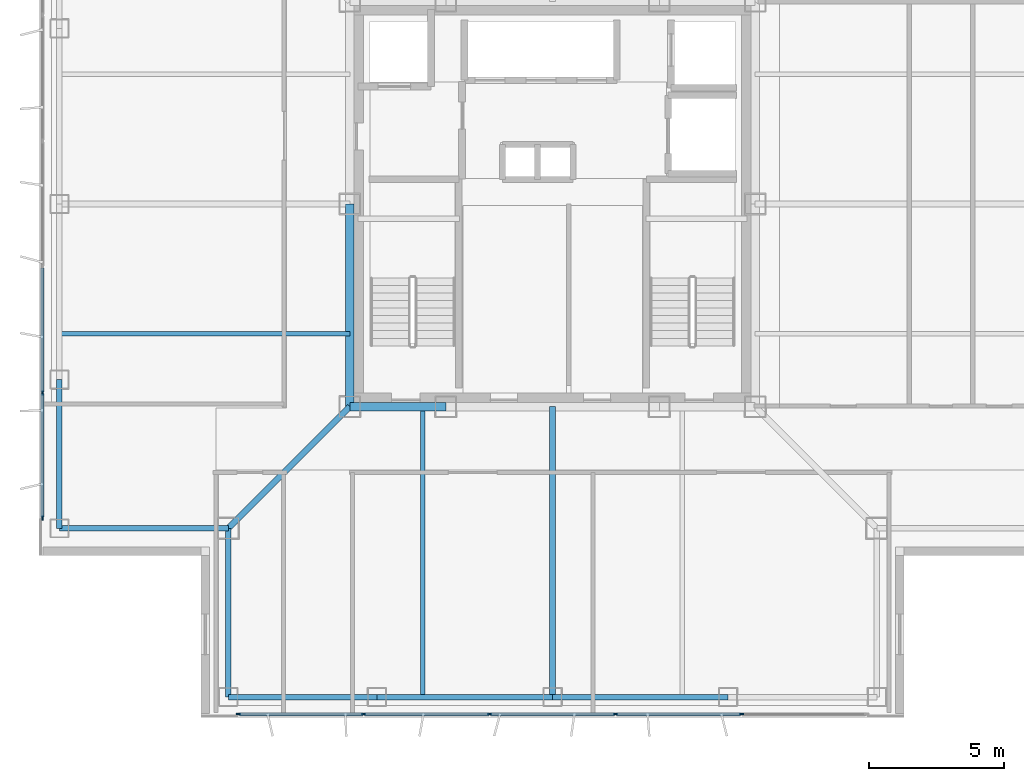
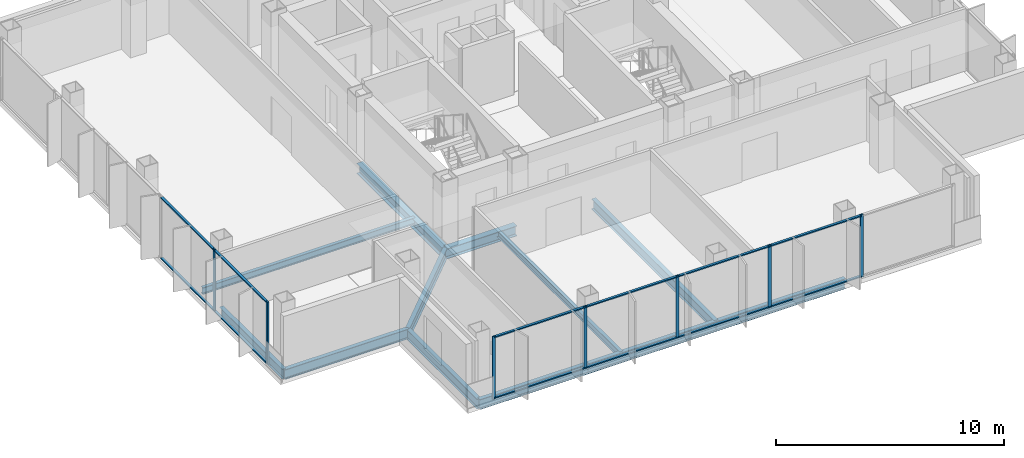
# One storey, part 2 of 15: 19 members, 12 beams, 2 elements without a shape of their own.
"""IFC4 building model written with IfcOpenShell, lengths in metres."""

import ifcopenshell
import ifcopenshell.guid

model = None  # the IFC model being written
_history = None  # IfcOwnerHistory: only IFC2X3 demands one
_inside = {}  # id of a spatial element -> (the spatial element, [elements in it])
_under = {}  # id of a project, library or spatial element -> (it, [spatial elements below it])
_declared = {}  # id of a project -> (the project, [libraries it declares])
_typed = {}  # id of a type object -> (the type object, [elements of that type])
_made_of = {}  # id of a material, layer set ... -> (it, [elements and type objects made of it])


def new_model(schema):
    """Start an empty IFC model of exactly this schema.

    Asked for "IFC4X3", IfcOpenShell would pick the latest addendum, in which some entities
    have other attributes; the version numbers below select the first issue.
    IFC2X3 requires an IfcOwnerHistory on every rooted entity: one is made here for all.
    """
    global model, _history
    if schema == "IFC4X3":
        model = ifcopenshell.file(schema_version=(4, 3, 0, 0))
    else:
        model = ifcopenshell.file(schema=schema)
    _inside.clear()
    _under.clear()
    _declared.clear()
    _typed.clear()
    _made_of.clear()
    _history = None
    if model.schema == "IFC2X3":
        org = make("IfcOrganization", Name="unknown")
        user = make(
            "IfcPersonAndOrganization",
            ThePerson=make("IfcPerson", FamilyName="unknown"),
            TheOrganization=org,
        )
        app = make(
            "IfcApplication",
            ApplicationDeveloper=org,
            Version="unknown",
            ApplicationFullName="unknown",
            ApplicationIdentifier="unknown",
        )
        _history = make(
            "IfcOwnerHistory",
            OwningUser=user,
            OwningApplication=app,
            ChangeAction="ADDED",
            CreationDate=0,
        )
    return model


def make(cls, **values):
    """One entity of the class cls with the attributes given. An attribute that is None is left unset."""
    return model.create_entity(
        cls, **{name: value for name, value in values.items() if value is not None}
    )


def rooted(cls, **values):
    """An entity with a GlobalId (a new one), such as an element, a storey or a relation."""
    return make(cls, GlobalId=ifcopenshell.guid.new(), OwnerHistory=_history, **values)


def si_unit(unit_type, name, prefix=None):
    """IfcSIUnit, for example si_unit("LENGTHUNIT", "METRE", prefix="MILLI")."""
    return make("IfcSIUnit", UnitType=unit_type, Prefix=prefix, Name=name)


def assignment(units):
    """IfcUnitAssignment: the units of a project."""
    return None if units is None else make("IfcUnitAssignment", Units=units)


def point(xyz):
    """IfcCartesianPoint."""
    return None if xyz is None else make("IfcCartesianPoint", Coordinates=xyz)


def direction(xyz):
    """IfcDirection."""
    return None if xyz is None else make("IfcDirection", DirectionRatios=xyz)


def frame(location, z_axis=None, x_axis=None):
    """IfcAxis2Placement3D, a coordinate frame: its origin and axes. An axis left out is left unset."""
    return make(
        "IfcAxis2Placement3D",
        Location=point(location),
        Axis=direction(z_axis),
        RefDirection=direction(x_axis),
    )


def frame_2d(location, x_axis=None):
    """IfcAxis2Placement2D, a coordinate frame in the plane: its origin and x axis."""
    return make(
        "IfcAxis2Placement2D", Location=point(location), RefDirection=direction(x_axis)
    )


def origin():
    """The frame at (0, 0, 0) with its axes left unset."""
    return frame((0.0, 0.0, 0.0))


def origin_2d():
    """The frame at (0, 0) in the plane with its x axis left unset."""
    return frame_2d((0.0, 0.0))


def place(relative_to, where):
    """IfcLocalPlacement: puts the frame where relative to a parent placement (None: the world)."""
    return make(
        "IfcLocalPlacement", PlacementRelTo=relative_to, RelativePlacement=where
    )


def context(
    kind, dimensions, precision=None, world=None, true_north=None, identifier=None
):
    """IfcGeometricRepresentationContext, for example the 3D "Model" context."""
    return make(
        "IfcGeometricRepresentationContext",
        ContextIdentifier=identifier,
        ContextType=kind,
        CoordinateSpaceDimension=dimensions,
        Precision=precision,
        WorldCoordinateSystem=world,
        TrueNorth=true_north,
    )


def subcontext(parent, identifier, kind, view, scale=None):
    """IfcGeometricRepresentationSubContext, for example "Body" below "Model"."""
    return make(
        "IfcGeometricRepresentationSubContext",
        ContextIdentifier=identifier,
        ContextType=kind,
        ParentContext=parent,
        TargetScale=scale,
        TargetView=view,
    )


def project(units=None, contexts=None):
    """IfcProject with its units and contexts."""
    return rooted(
        "IfcProject",
        Name="project",
        RepresentationContexts=contexts,
        UnitsInContext=assignment(units),
    )


def spatial(cls, under=None, at=None, **own):
    """A site, building, storey or space (cls), placed at a placement, below another one or the project."""
    s = rooted(cls, ObjectPlacement=at, **own)
    if under is not None:
        _under.setdefault(under.id(), (under, []))[1].append(s)
    return s


def profile(cls, at=None, kind="AREA", **sizes):
    """A parametric profile (cls). Its sizes go by their IFC names, for example OverallWidth=200.0."""
    return make(cls, ProfileType=kind, Position=at, **sizes)


def rectangle(**sizes):
    """IfcRectangleProfileDef."""
    return profile("IfcRectangleProfileDef", **sizes)


def i_section(**sizes):
    """IfcIShapeProfileDef."""
    return profile("IfcIShapeProfileDef", **sizes)


def extrude(swept, where, along, depth):
    """IfcExtrudedAreaSolid: the profile swept, set in the frame where, extruded along a direction by depth."""
    return make(
        "IfcExtrudedAreaSolid",
        SweptArea=swept,
        Position=where,
        ExtrudedDirection=direction(along),
        Depth=depth,
    )


def shape(context_of_items, identifier, shape_type, items):
    """IfcShapeRepresentation: the items that make up one representation, for example the "Body"."""
    return make(
        "IfcShapeRepresentation",
        ContextOfItems=context_of_items,
        RepresentationIdentifier=identifier,
        RepresentationType=shape_type,
        Items=items,
    )


def material(Name=None, Category=None):
    """IfcMaterial."""
    return make("IfcMaterial", Name=Name, Category=Category)


def layer(
    of_material, thickness, ventilated=None, Name=None, Category=None, Priority=None
):
    """IfcMaterialLayer: one layer of a wall or slab, of a material (None: an air gap)."""
    return make(
        "IfcMaterialLayer",
        Material=of_material,
        LayerThickness=thickness,
        IsVentilated=ventilated,
        Name=Name,
        Category=Category,
        Priority=Priority,
    )


def layer_set(layers, Name=None):
    """IfcMaterialLayerSet."""
    return make("IfcMaterialLayerSet", MaterialLayers=layers, LayerSetName=Name)


def material_profile(
    of_material, cross_section, Name=None, Category=None, Priority=None
):
    """IfcMaterialProfile: a cross section and its material."""
    return make(
        "IfcMaterialProfile",
        Name=Name,
        Material=of_material,
        Profile=cross_section,
        Priority=Priority,
        Category=Category,
    )


def profile_set(profiles, Name=None, composite=None):
    """IfcMaterialProfileSet."""
    return make(
        "IfcMaterialProfileSet",
        Name=Name,
        MaterialProfiles=profiles,
        CompositeProfile=composite,
    )


def made_of(thing, what):
    """Note that an element or type object is made of a material, layer set ...; save() writes the relation."""
    if what is not None:
        _made_of.setdefault(what.id(), (what, []))[1].append(thing)
    return thing


def type_object(cls, material=None, **own):
    """A type object (cls), such as IfcWallType, which elements share."""
    return made_of(rooted(cls, **own), material)


def element(
    cls,
    number,
    at=None,
    inside=None,
    cuts=None,
    type_object=None,
    material=None,
    context=None,
    identifier="Body",
    shape_type=None,
    held_by="IfcProductDefinitionShape",
    body=None,
    shapes=None,
    **own,
):
    """One element of the class cls, such as IfcWall. Its Tag is "e" and its number.

    at: its placement. inside: the storey or other place that contains it. cuts: it is an
    opening in that element (IfcRelVoidsElement). A single representation is given by context,
    identifier, shape_type and body (its items); several are given by shapes. held_by: the class
    of the entity that holds the representations. save() writes the other relations.
    """
    e = rooted(cls, Tag="e%d" % number, ObjectPlacement=at, **own)
    if body is not None:
        shapes = [shape(context, identifier, shape_type, body)]
    if shapes is not None:
        e.Representation = make(held_by, Representations=shapes)
    if inside is not None:
        _inside.setdefault(inside.id(), (inside, []))[1].append(e)
    if cuts is not None:
        rooted(
            "IfcRelVoidsElement", RelatingBuildingElement=cuts, RelatedOpeningElement=e
        )
    if type_object is not None:
        _typed.setdefault(type_object.id(), (type_object, []))[1].append(e)
    return made_of(e, material)


def aggregate(whole, parts):
    """IfcRelAggregates: a whole, such as a stair, and the parts it consists of."""
    return rooted("IfcRelAggregates", RelatingObject=whole, RelatedObjects=parts)


def save(model, path):
    """Write the relations noted so far, then the file.

    IfcRelAggregates (storeys below a building ...), IfcRelContainedInSpatialStructure (elements
    in a storey), IfcRelDefinesByType, IfcRelAssociatesMaterial and IfcRelDeclares: one each for
    every whole, place, type object, material and project.
    """
    for whole, parts in _under.values():
        aggregate(whole, parts)
    for where, things in _inside.values():
        rooted(
            "IfcRelContainedInSpatialStructure",
            RelatedElements=things,
            RelatingStructure=where,
        )
    for kind, things in _typed.values():
        rooted("IfcRelDefinesByType", RelatedObjects=things, RelatingType=kind)
    for what, things in _made_of.values():
        rooted("IfcRelAssociatesMaterial", RelatedObjects=things, RelatingMaterial=what)
    for by, libraries in _declared.values():
        rooted("IfcRelDeclares", RelatingContext=by, RelatedDefinitions=libraries)
    model.write(path)


model = new_model("IFC4")

# Units and contexts
model_context = context("Model", 3, precision=1e-05, world=origin(), true_north=direction((0.0, 1.0)))
body_context = subcontext(model_context, "Body", "Model", "MODEL_VIEW")
ifc_project = project(units=[si_unit("LENGTHUNIT", "METRE"), si_unit("AREAUNIT", "SQUARE_METRE"), si_unit("VOLUMEUNIT", "CUBIC_METRE"), si_unit("PLANEANGLEUNIT", "RADIAN"), si_unit("MASSUNIT", "GRAM", prefix="KILO")], contexts=[model_context])

# Site, building, storey
site_placement = place(None, origin())
site = spatial("IfcSite", under=ifc_project, at=site_placement, CompositionType="ELEMENT")
building_placement = place(site_placement, origin())
building = spatial("IfcBuilding", under=site, at=building_placement, Name="Trevonay Congress Spire", CompositionType="ELEMENT")
storey_placement = place(building_placement, frame((0.0, 0.0, 272.0)))
storey = spatial("IfcBuildingStorey", under=building, at=storey_placement, Name="L71", CompositionType="ELEMENT", Elevation=272.0)

# Beams
ifc_material_1 = material(Name="Steel ASTM A572 Grade 50", Category="steel")
ifc_material_profile_1 = material_profile(ifc_material_1, i_section(OverallWidth=0.2119140625, OverallDepth=0.5439453125, WebThickness=0.01318359375, FlangeThickness=0.021240234375, FilletRadius=0.014892578125, at=origin_2d()), Name="W530x123")
ifc_profile_set_1 = profile_set([ifc_material_profile_1], Name="Steel ASTM A572 Grade 50")
beam_type_1 = type_object("IfcBeamType", Name="BM-GIRD-W530X123", PredefinedType="BEAM", material=ifc_profile_set_1)
beam_1_placement = place(storey_placement, frame((-7.5, -7.5, -0.511962890625), z_axis=(-0.707106781187, -0.707106781187, 0.0), x_axis=(0.707106781187, -0.707106781187, 0.0)))
element("IfcBeam", 1, at=beam_1_placement, inside=storey, type_object=beam_type_1, Name="L71 structural beam BM-L71-CDSW", PredefinedType="BEAM", context=body_context, shape_type="SweptSolid", body=[
    extrude(i_section(OverallWidth=0.2119140625, OverallDepth=0.5439453125, WebThickness=0.01318359375, FlangeThickness=0.021240234375, FilletRadius=0.014892578125, at=origin_2d()), origin(), (0.0, 0.0, 1.0), 6.364013671875),
])
beam_2_placement = place(storey_placement, frame((0.0, -7.5, -0.511962890625), z_axis=(0.0, -1.0, 0.0), x_axis=(1.0, 0.0, 0.0)))
element("IfcBeam", 2, at=beam_2_placement, inside=storey, type_object=beam_type_1, Name="L71 structural beam BM-L71-GC-S", PredefinedType="BEAM", context=body_context, shape_type="SweptSolid", body=[
    extrude(i_section(OverallWidth=0.2119140625, OverallDepth=0.5439453125, WebThickness=0.01318359375, FlangeThickness=0.021240234375, FilletRadius=0.014892578125, at=origin_2d()), origin(), (0.0, 0.0, 1.0), 10.75),
])
ifc_material_profile_2 = material_profile(ifc_material_1, i_section(OverallWidth=0.31201171875, OverallDepth=0.54296875, WebThickness=0.0126953125, FlangeThickness=0.020263671875, FilletRadius=0.014892578125, at=origin_2d()), Name="W530x150")
ifc_profile_set_2 = profile_set([ifc_material_profile_2], Name="Steel ASTM A572 Grade 50")
beam_type_2 = type_object("IfcBeamType", Name="BM-GIRD-W530X150", PredefinedType="BEAM", material=ifc_profile_set_2)
beam_3_placement = place(storey_placement, frame((-7.5, -7.5, -0.511474609375), z_axis=(1.0, 0.0, 0.0), x_axis=(0.0, 1.0, 0.0)))
element("IfcBeam", 3, at=beam_3_placement, inside=storey, type_object=beam_type_2, Name="L71 structural beam BM-L71-CR-S1", PredefinedType="BEAM", context=body_context, shape_type="SweptSolid", body=[
    extrude(i_section(OverallWidth=0.31201171875, OverallDepth=0.54296875, WebThickness=0.0126953125, FlangeThickness=0.020263671875, FilletRadius=0.014892578125, at=origin_2d()), origin(), (0.0, 0.0, 1.0), 3.550048828125),
])
beam_4_placement = place(storey_placement, frame((-7.5, -7.5, -0.511474609375), z_axis=(0.0, 1.0, 0.0), x_axis=(-1.0, 0.0, 0.0)))
element("IfcBeam", 4, at=beam_4_placement, inside=storey, type_object=beam_type_2, Name="L71 structural beam BM-L71-CR-W1", PredefinedType="BEAM", context=body_context, shape_type="SweptSolid", body=[
    extrude(i_section(OverallWidth=0.31201171875, OverallDepth=0.54296875, WebThickness=0.0126953125, FlangeThickness=0.020263671875, FilletRadius=0.014892578125, at=origin_2d()), origin(), (0.0, 0.0, 1.0), 7.5),
])
ifc_material_profile_3 = material_profile(ifc_material_1, i_section(OverallWidth=0.208984375, OverallDepth=0.532958984375, WebThickness=0.01025390625, FlangeThickness=0.015625, FilletRadius=0.014892578125, at=origin_2d()), Name="W530x92")
ifc_profile_set_3 = profile_set([ifc_material_profile_3], Name="Steel ASTM A572 Grade 50")
beam_type_3 = type_object("IfcBeamType", Name="BM-RING-W530X92", PredefinedType="BEAM", material=ifc_profile_set_3)
for number, where, z_axis, x_axis, name in (
    (5, (-12.0, -18.25, -0.506591796875), (1.0, 0.0, 0.0), (0.0, 1.0, 0.0), "L71 structural beam BM-L71-PS1"),
    (6, (-18.25, -12.0, -0.506591796875), (0.0, 1.0, 0.0), (-1.0, 0.0, 0.0), "L71 structural beam BM-L71-PW1"),
):
    element("IfcBeam", number, at=place(storey_placement, frame(where, z_axis=z_axis, x_axis=x_axis)), inside=storey, type_object=beam_type_3, Name=name, PredefinedType="BEAM", context=body_context, shape_type="SweptSolid", body=[
        extrude(i_section(OverallWidth=0.208984375, OverallDepth=0.532958984375, WebThickness=0.01025390625, FlangeThickness=0.015625, FilletRadius=0.014892578125, at=origin_2d()), origin(), (0.0, 0.0, 1.0), 5.5),
    ])
for number, where, z_axis, x_axis, name in (
    (7, (-6.5, -18.25, -0.506591796875), (1.0, 0.0, 0.0), (0.0, 1.0, 0.0), "L71 structural beam BM-L71-PS2"),
    (8, (0.0, -18.25, -0.506591796875), (1.0, 0.0, 0.0), (0.0, 1.0, 0.0), "L71 structural beam BM-L71-PS3"),
):
    element("IfcBeam", number, at=place(storey_placement, frame(where, z_axis=z_axis, x_axis=x_axis)), inside=storey, type_object=beam_type_3, Name=name, PredefinedType="BEAM", context=body_context, shape_type="SweptSolid", body=[
        extrude(i_section(OverallWidth=0.208984375, OverallDepth=0.532958984375, WebThickness=0.01025390625, FlangeThickness=0.015625, FilletRadius=0.014892578125, at=origin_2d()), origin(), (0.0, 0.0, 1.0), 6.5),
    ])
for number, where, z_axis, x_axis, name in (
    (9, (-12.0, -18.25, -0.506591796875), (0.0, 1.0, 0.0), (-1.0, 0.0, 0.0), "L71 structural beam BM-L71-N1SW"),
    (10, (-18.25, -12.0, -0.506591796875), (1.0, 0.0, 0.0), (0.0, 1.0, 0.0), "L71 structural beam BM-L71-N2SW"),
):
    element("IfcBeam", number, at=place(storey_placement, frame(where, z_axis=z_axis, x_axis=x_axis)), inside=storey, type_object=beam_type_3, Name=name, PredefinedType="BEAM", context=body_context, shape_type="SweptSolid", body=[
        extrude(i_section(OverallWidth=0.208984375, OverallDepth=0.532958984375, WebThickness=0.01025390625, FlangeThickness=0.015625, FilletRadius=0.014892578125, at=origin_2d()), origin(), (0.0, 0.0, 1.0), 6.25),
    ])

# Curtain wall, members
ifc_material_2 = material(Name="Pale Anodised Aluminium EN AW-6063-T6", Category="aluminium")
ifc_layer = layer(ifc_material_2, 0.1650390625, Name="Pale Anodised Aluminium EN AW-6063-T6")
ifc_layer_set = layer_set([ifc_layer], Name="Pale Anodised Aluminium EN AW-6063-T6")
curtain_wall_type = type_object("IfcCurtainWallType", Name="CW-SYS05-DIPLOM-PALE-METAL", PredefinedType="NOTDEFINED", material=ifc_layer_set)
curtain_wall_1_placement = place(storey_placement, origin())
curtain_wall_1 = element("IfcCurtainWall", 11, at=curtain_wall_1_placement, inside=storey, type_object=curtain_wall_type, Name="L71 S unitised curtain wall", PredefinedType="NOTDEFINED")
ifc_material_profile_4 = material_profile(ifc_material_2, rectangle(XDim=0.06005859375, YDim=0.159912109375, at=origin_2d()), Name="CW-MULLION-160-ALUMINIUM")
ifc_profile_set_4 = profile_set([ifc_material_profile_4], Name="Pale Anodised Aluminium EN AW-6063-T6")
member_type_1 = type_object("IfcMemberType", Name="CW-MULLION-160-ALUMINIUM", PredefinedType="MULLION", material=ifc_profile_set_4)
member_1_placement = place(storey_placement, frame((-11.6201171875, -18.8798828125, 0.0), z_axis=(0.0, 0.0, 1.0), x_axis=(0.0, 1.0, 0.0)))
member_1 = element("IfcMember", 12, at=member_1_placement, type_object=member_type_1, Name="CW05 mullion 1", PredefinedType="MULLION", context=body_context, shape_type="SweptSolid", body=[
    extrude(rectangle(XDim=0.06005859375, YDim=0.159912109375, at=origin_2d()), origin(), (0.0, 0.0, 1.0), 3.360107421875),
])
member_2_placement = place(storey_placement, frame((-6.989990234375, -18.8798828125, 0.0), z_axis=(0.0, 0.0, 1.0), x_axis=(0.0, 1.0, 0.0)))
member_2 = element("IfcMember", 13, at=member_2_placement, type_object=member_type_1, Name="CW05 mullion 2", PredefinedType="MULLION", context=body_context, shape_type="SweptSolid", body=[
    extrude(rectangle(XDim=0.06005859375, YDim=0.159912109375, at=origin_2d()), origin(), (0.0, 0.0, 1.0), 3.360107421875),
])
member_3_placement = place(storey_placement, frame((-2.330078125, -18.8798828125, 0.0), z_axis=(0.0, 0.0, 1.0), x_axis=(0.0, 1.0, 0.0)))
member_3 = element("IfcMember", 14, at=member_3_placement, type_object=member_type_1, Name="CW05 mullion 3", PredefinedType="MULLION", context=body_context, shape_type="SweptSolid", body=[
    extrude(rectangle(XDim=0.06005859375, YDim=0.159912109375, at=origin_2d()), origin(), (0.0, 0.0, 1.0), 3.360107421875),
])
member_4_placement = place(storey_placement, frame((2.330078125, -18.8798828125, 0.0), z_axis=(0.0, 0.0, 1.0), x_axis=(0.0, 1.0, 0.0)))
member_4 = element("IfcMember", 15, at=member_4_placement, type_object=member_type_1, Name="CW05 mullion 4", PredefinedType="MULLION", context=body_context, shape_type="SweptSolid", body=[
    extrude(rectangle(XDim=0.06005859375, YDim=0.159912109375, at=origin_2d()), origin(), (0.0, 0.0, 1.0), 3.360107421875),
])
member_5_placement = place(storey_placement, frame((6.989990234375, -18.8798828125, 0.0), z_axis=(0.0, 0.0, 1.0), x_axis=(0.0, 1.0, 0.0)))
member_5 = element("IfcMember", 16, at=member_5_placement, type_object=member_type_1, Name="CW05 mullion 5", PredefinedType="MULLION", context=body_context, shape_type="SweptSolid", body=[
    extrude(rectangle(XDim=0.06005859375, YDim=0.159912109375, at=origin_2d()), origin(), (0.0, 0.0, 1.0), 3.360107421875),
])

curtain_wall_2_placement = place(storey_placement, origin())
curtain_wall_2 = element("IfcCurtainWall", 17, at=curtain_wall_2_placement, inside=storey, type_object=curtain_wall_type, Name="L71 W unitised curtain wall", PredefinedType="NOTDEFINED")
member_6_placement = place(storey_placement, frame((-18.8798828125, -11.6201171875, 0.0), z_axis=(0.0, 0.0, 1.0), x_axis=(-1.0, 0.0, 0.0)))
member_6 = element("IfcMember", 18, at=member_6_placement, type_object=member_type_1, Name="CW05 mullion 1", PredefinedType="MULLION", context=body_context, shape_type="SweptSolid", body=[
    extrude(rectangle(XDim=0.06005859375, YDim=0.159912109375, at=origin_2d()), origin(), (0.0, 0.0, 1.0), 3.360107421875),
])
member_7_placement = place(storey_placement, frame((-18.8798828125, -6.989990234375, 0.0), z_axis=(0.0, 0.0, 1.0), x_axis=(-1.0, 0.0, 0.0)))
member_7 = element("IfcMember", 19, at=member_7_placement, type_object=member_type_1, Name="CW05 mullion 2", PredefinedType="MULLION", context=body_context, shape_type="SweptSolid", body=[
    extrude(rectangle(XDim=0.06005859375, YDim=0.159912109375, at=origin_2d()), origin(), (0.0, 0.0, 1.0), 3.360107421875),
])

# Member
ifc_material_profile_5 = material_profile(ifc_material_2, rectangle(XDim=0.1201171875, YDim=0.06005859375, at=origin_2d()), Name="CW-TRANSOM-120-ALUMINIUM")
ifc_profile_set_5 = profile_set([ifc_material_profile_5], Name="Pale Anodised Aluminium EN AW-6063-T6")
member_type_2 = type_object("IfcMemberType", Name="CW-TRANSOM-120-ALUMINIUM", PredefinedType="USERDEFINED", material=ifc_profile_set_5)
member_8_placement = place(storey_placement, frame((-11.590087890625, -18.8798828125, 0.06005859375), z_axis=(1.0, 0.0, 0.0), x_axis=(0.0, 1.0, 0.0)))
member_8 = element("IfcMember", 20, at=member_8_placement, type_object=member_type_2, Name="CW05 transom 1.1", ObjectType="TRANSOM", PredefinedType="USERDEFINED", context=body_context, shape_type="SweptSolid", body=[
    extrude(rectangle(XDim=0.1201171875, YDim=0.06005859375, at=origin_2d()), origin(), (0.0, 0.0, 1.0), 4.570068359375),
])

member_9_placement = place(storey_placement, frame((-11.590087890625, -18.8798828125, 3.300048828125), z_axis=(1.0, 0.0, 0.0), x_axis=(0.0, 1.0, 0.0)))
member_9 = element("IfcMember", 21, at=member_9_placement, type_object=member_type_2, Name="CW05 transom 1.2", ObjectType="TRANSOM", PredefinedType="USERDEFINED", context=body_context, shape_type="SweptSolid", body=[
    extrude(rectangle(XDim=0.1201171875, YDim=0.06005859375, at=origin_2d()), origin(), (0.0, 0.0, 1.0), 4.570068359375),
])

member_10_placement = place(storey_placement, frame((-6.9599609375, -18.8798828125, 0.06005859375), z_axis=(1.0, 0.0, 0.0), x_axis=(0.0, 1.0, 0.0)))
member_10 = element("IfcMember", 22, at=member_10_placement, type_object=member_type_2, Name="CW05 transom 2.1", ObjectType="TRANSOM", PredefinedType="USERDEFINED", context=body_context, shape_type="SweptSolid", body=[
    extrude(rectangle(XDim=0.1201171875, YDim=0.06005859375, at=origin_2d()), origin(), (0.0, 0.0, 1.0), 4.599853515625),
])

member_11_placement = place(storey_placement, frame((-6.9599609375, -18.8798828125, 3.300048828125), z_axis=(1.0, 0.0, 0.0), x_axis=(0.0, 1.0, 0.0)))
member_11 = element("IfcMember", 23, at=member_11_placement, type_object=member_type_2, Name="CW05 transom 2.2", ObjectType="TRANSOM", PredefinedType="USERDEFINED", context=body_context, shape_type="SweptSolid", body=[
    extrude(rectangle(XDim=0.1201171875, YDim=0.06005859375, at=origin_2d()), origin(), (0.0, 0.0, 1.0), 4.599853515625),
])

member_12_placement = place(storey_placement, frame((-2.300048828125, -18.8798828125, 0.06005859375), z_axis=(1.0, 0.0, 0.0), x_axis=(0.0, 1.0, 0.0)))
member_12 = element("IfcMember", 24, at=member_12_placement, type_object=member_type_2, Name="CW05 transom 3.1", ObjectType="TRANSOM", PredefinedType="USERDEFINED", context=body_context, shape_type="SweptSolid", body=[
    extrude(rectangle(XDim=0.1201171875, YDim=0.06005859375, at=origin_2d()), origin(), (0.0, 0.0, 1.0), 4.60009765625),
])

member_13_placement = place(storey_placement, frame((-2.300048828125, -18.8798828125, 3.300048828125), z_axis=(1.0, 0.0, 0.0), x_axis=(0.0, 1.0, 0.0)))
member_13 = element("IfcMember", 25, at=member_13_placement, type_object=member_type_2, Name="CW05 transom 3.2", ObjectType="TRANSOM", PredefinedType="USERDEFINED", context=body_context, shape_type="SweptSolid", body=[
    extrude(rectangle(XDim=0.1201171875, YDim=0.06005859375, at=origin_2d()), origin(), (0.0, 0.0, 1.0), 4.60009765625),
])

member_14_placement = place(storey_placement, frame((2.360107421875, -18.8798828125, 0.06005859375), z_axis=(1.0, 0.0, 0.0), x_axis=(0.0, 1.0, 0.0)))
member_14 = element("IfcMember", 26, at=member_14_placement, type_object=member_type_2, Name="CW05 transom 4.1", ObjectType="TRANSOM", PredefinedType="USERDEFINED", context=body_context, shape_type="SweptSolid", body=[
    extrude(rectangle(XDim=0.1201171875, YDim=0.06005859375, at=origin_2d()), origin(), (0.0, 0.0, 1.0), 4.599853515625),
])

member_15_placement = place(storey_placement, frame((2.360107421875, -18.8798828125, 3.300048828125), z_axis=(1.0, 0.0, 0.0), x_axis=(0.0, 1.0, 0.0)))
member_15 = element("IfcMember", 27, at=member_15_placement, type_object=member_type_2, Name="CW05 transom 4.2", ObjectType="TRANSOM", PredefinedType="USERDEFINED", context=body_context, shape_type="SweptSolid", body=[
    extrude(rectangle(XDim=0.1201171875, YDim=0.06005859375, at=origin_2d()), origin(), (0.0, 0.0, 1.0), 4.599853515625),
])

aggregate(curtain_wall_1, [member_1, member_2, member_3, member_4, member_5, member_8, member_9, member_10, member_11, member_12, member_13, member_14, member_15])

member_16_placement = place(storey_placement, frame((-18.8798828125, -11.590087890625, 0.06005859375), z_axis=(0.0, 1.0, 0.0), x_axis=(-1.0, 0.0, 0.0)))
member_16 = element("IfcMember", 28, at=member_16_placement, type_object=member_type_2, Name="CW05 transom 1.1", ObjectType="TRANSOM", PredefinedType="USERDEFINED", context=body_context, shape_type="SweptSolid", body=[
    extrude(rectangle(XDim=0.1201171875, YDim=0.06005859375, at=origin_2d()), origin(), (0.0, 0.0, 1.0), 4.570068359375),
])

member_17_placement = place(storey_placement, frame((-18.8798828125, -11.590087890625, 3.300048828125), z_axis=(0.0, 1.0, 0.0), x_axis=(-1.0, 0.0, 0.0)))
member_17 = element("IfcMember", 29, at=member_17_placement, type_object=member_type_2, Name="CW05 transom 1.2", ObjectType="TRANSOM", PredefinedType="USERDEFINED", context=body_context, shape_type="SweptSolid", body=[
    extrude(rectangle(XDim=0.1201171875, YDim=0.06005859375, at=origin_2d()), origin(), (0.0, 0.0, 1.0), 4.570068359375),
])

member_18_placement = place(storey_placement, frame((-18.8798828125, -6.9599609375, 0.06005859375), z_axis=(0.0, 1.0, 0.0), x_axis=(-1.0, 0.0, 0.0)))
member_18 = element("IfcMember", 30, at=member_18_placement, type_object=member_type_2, Name="CW05 transom 2.1", ObjectType="TRANSOM", PredefinedType="USERDEFINED", context=body_context, shape_type="SweptSolid", body=[
    extrude(rectangle(XDim=0.1201171875, YDim=0.06005859375, at=origin_2d()), origin(), (0.0, 0.0, 1.0), 4.599853515625),
])

member_19_placement = place(storey_placement, frame((-18.8798828125, -6.9599609375, 3.300048828125), z_axis=(0.0, 1.0, 0.0), x_axis=(-1.0, 0.0, 0.0)))
member_19 = element("IfcMember", 31, at=member_19_placement, type_object=member_type_2, Name="CW05 transom 2.2", ObjectType="TRANSOM", PredefinedType="USERDEFINED", context=body_context, shape_type="SweptSolid", body=[
    extrude(rectangle(XDim=0.1201171875, YDim=0.06005859375, at=origin_2d()), origin(), (0.0, 0.0, 1.0), 4.599853515625),
])

aggregate(curtain_wall_2, [member_6, member_7, member_16, member_17, member_18, member_19])

# Beams
ifc_material_profile_6 = material_profile(ifc_material_1, i_section(OverallWidth=0.172119140625, OverallDepth=0.35791015625, WebThickness=0.0078125, FlangeThickness=0.01318359375, FilletRadius=0.011962890625, at=origin_2d()), Name="W360x57.8")
ifc_profile_set_6 = profile_set([ifc_material_profile_6], Name="Steel ASTM A572 Grade 50")
beam_type_4 = type_object("IfcBeamType", Name="JS-COMP-W360X57", PredefinedType="JOIST", material=ifc_profile_set_6)
for number, where, z_axis, x_axis, name in (
    (32, (-4.800048828125, -18.25, -0.4189453125), (0.0, 1.0, 0.0), (-1.0, 0.0, 0.0), "L71 structural beam JS-L71-NS-S1"),
    (33, (-18.25, -4.800048828125, -0.4189453125), (1.0, 0.0, 0.0), (0.0, 1.0, 0.0), "L71 structural beam JS-L71-EW-W1"),
):
    element("IfcBeam", number, at=place(storey_placement, frame(where, z_axis=z_axis, x_axis=x_axis)), inside=storey, type_object=beam_type_4, Name=name, PredefinedType="JOIST", context=body_context, shape_type="SweptSolid", body=[
        extrude(i_section(OverallWidth=0.172119140625, OverallDepth=0.35791015625, WebThickness=0.0078125, FlangeThickness=0.01318359375, FilletRadius=0.011962890625, at=origin_2d()), origin(), (0.0, 0.0, 1.0), 10.75),
    ])

save(model, "model.ifc")
